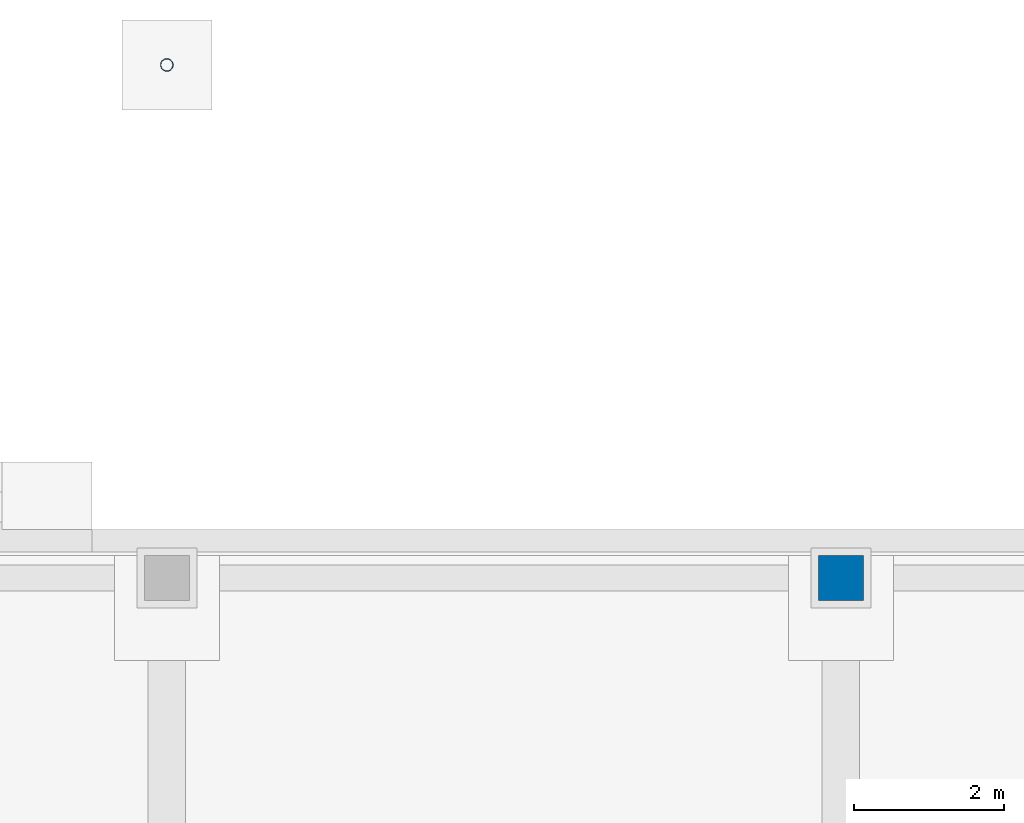
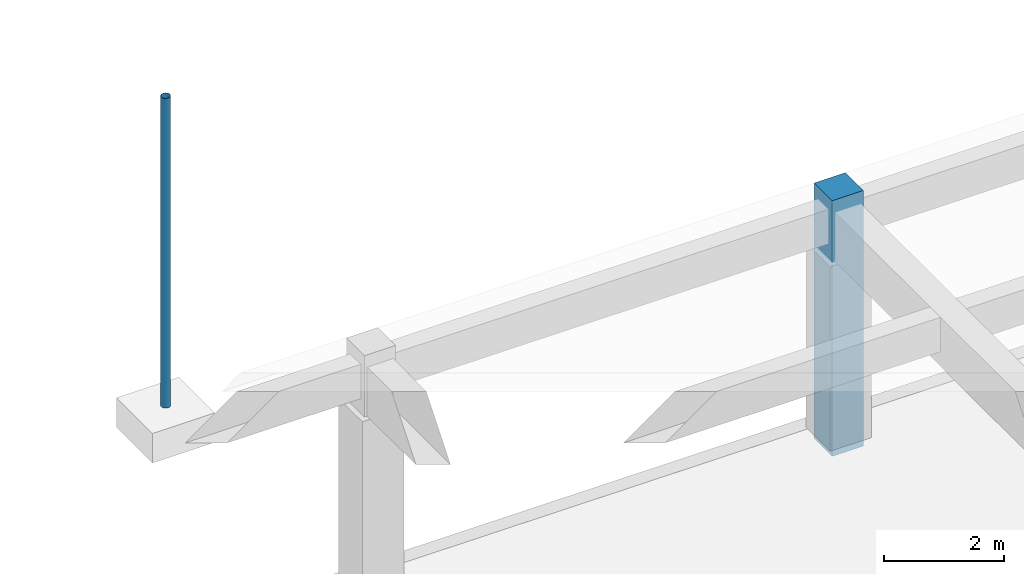
# One storey, part 11 of 77: 2 columns.
"""IFC4 building model written with IfcOpenShell, lengths in metres."""

from ifc_helpers import new_model, si_unit, direction, frame, origin, origin_2d, place, context, subcontext, project, spatial, rectangle, hollow_circle, extrude, material, material_profile, profile_set, type_object, element, save


model = new_model("IFC4")

# Units and contexts
model_context = context("Model", 3, precision=1e-05, world=origin(), true_north=direction((0.0, 1.0)))
body_context = subcontext(model_context, "Body", "Model", "MODEL_VIEW")
ifc_project = project(units=[si_unit("LENGTHUNIT", "METRE"), si_unit("AREAUNIT", "SQUARE_METRE"), si_unit("VOLUMEUNIT", "CUBIC_METRE"), si_unit("PLANEANGLEUNIT", "RADIAN"), si_unit("MASSUNIT", "GRAM", prefix="KILO")], contexts=[model_context])

# Site, building, storey
site_placement = place(None, origin())
site = spatial("IfcSite", under=ifc_project, at=site_placement, CompositionType="ELEMENT")
building_placement = place(site_placement, origin())
building = spatial("IfcBuilding", under=site, at=building_placement, Name="Aravalli Gate Trade Fair Centre", CompositionType="ELEMENT")
storey_placement = place(building_placement, origin())
storey = spatial("IfcBuildingStorey", under=building, at=storey_placement, Name="L00", CompositionType="ELEMENT", Elevation=0.0)

# Columns
ifc_material_1 = material(Name="Concrete M45", Category="concrete")
ifc_material_profile_1 = material_profile(ifc_material_1, rectangle(XDim=0.60009765625, YDim=0.60009765625, at=origin_2d()), Name="Arcade pier 600 x 600")
ifc_profile_set_1 = profile_set([ifc_material_profile_1], Name="Concrete M45")
column_type_1 = type_object("IfcColumnType", Name="Arcade pier 600 x 600", PredefinedType="COLUMN", material=ifc_profile_set_1)
column_1_placement = place(storey_placement, frame((105.0, 144.64990234375, -0.199951171875), z_axis=(0.0, 0.0, 1.0), x_axis=(1.0, 0.0, 0.0)))
element("IfcColumn", 1, at=column_1_placement, inside=storey, type_object=column_type_1, Name="Arcade pier N12 L00", PredefinedType="COLUMN", context=body_context, shape_type="SweptSolid", body=[
    extrude(rectangle(XDim=0.60009765625, YDim=0.60009765625, at=origin_2d()), origin(), (0.0, 0.0, 1.0), 5.199951171875),
])
ifc_material_2 = material(Name="Steel E350", Category="steel")
ifc_material_profile_2 = material_profile(ifc_material_2, hollow_circle(Radius=0.084228515625, WallThickness=0.0048828125, at=origin_2d()), Name="CHS 168.3x5")
ifc_profile_set_2 = profile_set([ifc_material_profile_2], Name="Steel E350")
column_type_2 = type_object("IfcColumnType", Name="CHS 168.3x5 canopy post", PredefinedType="COLUMN", material=ifc_profile_set_2)
column_2_placement = place(storey_placement, frame((96.0, 151.5, -0.449951171875), z_axis=(0.0, 0.0, 1.0), x_axis=(1.0, 0.0, 0.0)))
element("IfcColumn", 2, at=column_2_placement, inside=storey, type_object=column_type_2, Name="Entrance canopy post 96", PredefinedType="COLUMN", context=body_context, shape_type="SweptSolid", body=[
    extrude(hollow_circle(Radius=0.084228515625, WallThickness=0.0048828125, at=origin_2d()), origin(), (0.0, 0.0, 1.0), 6.300048828125),
])

save(model, "model.ifc")
